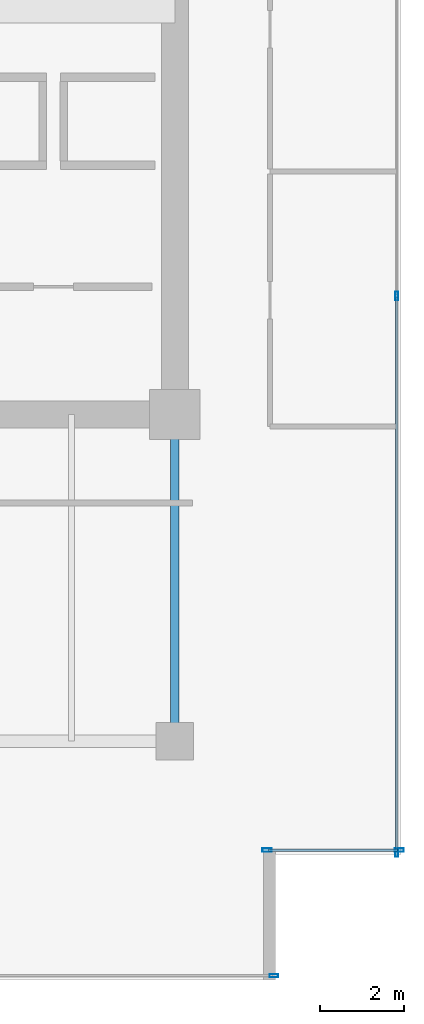
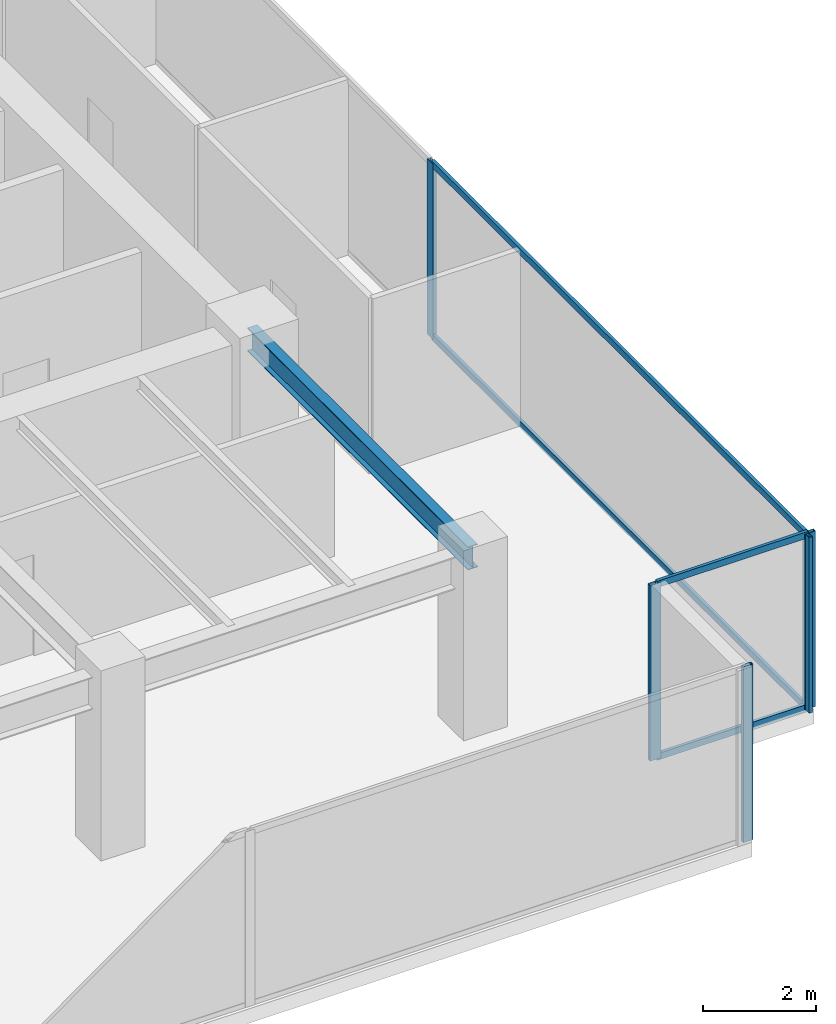
# One storey, part 21 of 30: 9 members, 1 beam, 3 elements without a shape of their own.
"""IFC4 building model written with IfcOpenShell, lengths in metres."""

from ifc_helpers import new_model, si_unit, direction, frame, origin, origin_2d, place, context, subcontext, project, spatial, hollow_rectangle, i_section, extrude, source, transform, mapped, material, layer, layer_set, material_profile, profile_set, type_object, type_shapes, element, aggregate, save


model = new_model("IFC4")

# Units and contexts
model_context = context("Model", 3, precision=1e-05, world=origin(), true_north=direction((0.0, 1.0)))
body_context = subcontext(model_context, "Body", "Model", "MODEL_VIEW")
ifc_project = project(units=[si_unit("LENGTHUNIT", "METRE"), si_unit("AREAUNIT", "SQUARE_METRE"), si_unit("VOLUMEUNIT", "CUBIC_METRE"), si_unit("PLANEANGLEUNIT", "RADIAN"), si_unit("MASSUNIT", "GRAM", prefix="KILO")], contexts=[model_context])

# Site, building, storey
site_placement = place(None, origin())
site = spatial("IfcSite", under=ifc_project, at=site_placement, CompositionType="ELEMENT")
building_placement = place(site_placement, origin())
building = spatial("IfcBuilding", under=site, at=building_placement, Name="Haelvirn Gate Laboratories", CompositionType="ELEMENT")
storey_placement = place(building_placement, frame((0.0, 0.0, 121.5)))
storey = spatial("IfcBuildingStorey", under=building, at=storey_placement, Name="L29", CompositionType="ELEMENT", Elevation=121.5)

# Beam
ifc_material_1 = material(Name="Steel SM355", Category="steel")
ifc_material_profile_1 = material_profile(ifc_material_1, i_section(OverallWidth=0.199951171875, OverallDepth=0.5, WebThickness=0.010009765625, FlangeThickness=0.01611328125, at=origin_2d()), Name="H-500x200x10x16")
ifc_profile_set_1 = profile_set([ifc_material_profile_1], Name="Steel SM355")
beam_type = type_object("IfcBeamType", Name="BM-SP-500", PredefinedType="SPANDREL", material=ifc_profile_set_1)
shared_shape_1 = source(origin(), body_context, "Body", "SweptSolid", [
    extrude(i_section(OverallWidth=0.199951171875, OverallDepth=0.5, WebThickness=0.010009765625, FlangeThickness=0.01611328125, at=origin_2d()), origin(), (0.0, 0.0, 1.0), 7.800048828125),
])
type_shapes(beam_type, [shared_shape_1])
beam_placement = place(storey_placement, frame((67.39990234375, 7.0, 3.5400390625), z_axis=(0.0, 1.0, 0.0), x_axis=(-1.0, 0.0, 0.0)))
element("IfcBeam", 1, at=beam_placement, inside=storey, type_object=beam_type, Name="L29 Perimeter Spandrel X67.4 (7.0-14.8)", PredefinedType="SPANDREL", context=body_context, shape_type="MappedRepresentation", body=[
    mapped(shared_shape_1, transform((0.0, 0.0, 0.0), scale=1.0)),
])

# Curtain wall, members
ifc_material_2 = material(Name="Anodised bronze unitised aluminium & triple low-E glass", Category="aluminium")
ifc_layer_1 = layer(ifc_material_2, 0.181884765625, Name="CW-SYS-5")
ifc_layer_set_1 = layer_set([ifc_layer_1], Name="Anodised bronze unitised aluminium & triple low-E glass")
curtain_wall_type_1 = type_object("IfcCurtainWallType", Name="CW-SYS-5", PredefinedType="NOTDEFINED", material=ifc_layer_set_1)
curtain_wall_1_placement = place(storey_placement, origin())
curtain_wall_1 = element("IfcCurtainWall", 2, at=curtain_wall_1_placement, inside=storey, type_object=curtain_wall_type_1, Name="L29 Unitised Curtain Wall CW-L29-P0-E06-1", PredefinedType="NOTDEFINED")
ifc_material_3 = material(Name="Extruded aluminium 6063-T6 (anodised bronze)", Category="aluminium")
ifc_material_profile_2 = material_profile(ifc_material_3, hollow_rectangle(XDim=0.06494140625, YDim=0.139892578125, WallThickness=0.00390625, at=origin_2d()), Name="CWT-140x65x4")
ifc_profile_set_2 = profile_set([ifc_material_profile_2], Name="Extruded aluminium 6063-T6 (anodised bronze)")
member_type_1 = type_object("IfcMemberType", Name="CWT-T140", PredefinedType="USERDEFINED", material=ifc_profile_set_2)
shared_shape_2 = source(origin(), body_context, "Body", "SweptSolid", [
    extrude(hollow_rectangle(XDim=0.06494140625, YDim=0.139892578125, WallThickness=0.00390625, at=origin_2d()), origin(), (0.0, 0.0, 1.0), 3.080078125),
])
member_1_placement = place(storey_placement, frame((69.639892578125, 4.39990234375, 0.032470703125), z_axis=(1.0, 0.0, 0.0), x_axis=(0.0, 1.0, 0.0)))
member_1 = element("IfcMember", 3, at=member_1_placement, type_object=member_type_1, Name="CW5 transom 1.1", ObjectType="TRANSOM", PredefinedType="USERDEFINED", context=body_context, shape_type="MappedRepresentation", body=[
    mapped(shared_shape_2, transform((0.0, 0.0, 0.0), scale=1.0)),
])
member_2_placement = place(storey_placement, frame((69.639892578125, 4.39990234375, 3.757568359375), z_axis=(1.0, 0.0, 0.0), x_axis=(0.0, 1.0, 0.0)))
member_2 = element("IfcMember", 4, at=member_2_placement, type_object=member_type_1, Name="CW5 transom 1.2", ObjectType="TRANSOM", PredefinedType="USERDEFINED", context=body_context, shape_type="MappedRepresentation", body=[
    mapped(shared_shape_2, transform((0.0, 0.0, 0.0), scale=1.0)),
])

ifc_layer_2 = layer(ifc_material_2, 0.179931640625, Name="CW-SYS-3")
ifc_layer_set_2 = layer_set([ifc_layer_2], Name="Anodised bronze unitised aluminium & triple low-E glass")
curtain_wall_type_2 = type_object("IfcCurtainWallType", Name="CW-SYS-3", PredefinedType="NOTDEFINED", material=ifc_layer_set_2)
curtain_wall_2_placement = place(storey_placement, origin())
curtain_wall_2 = element("IfcCurtainWall", 5, at=curtain_wall_2_placement, inside=storey, type_object=curtain_wall_type_2, Name="L29 Unitised Curtain Wall CW-L29-P0-E07", PredefinedType="NOTDEFINED")
shared_shape_3 = source(origin(), body_context, "Body", "SweptSolid", [
    extrude(hollow_rectangle(XDim=0.06494140625, YDim=0.139892578125, WallThickness=0.00390625, at=origin_2d()), origin(), (0.0, 0.0, 1.0), 13.220947265625),
])
type_shapes(member_type_1, [shared_shape_2, shared_shape_3])
member_3_placement = place(storey_placement, frame((72.699951171875, 4.375, 0.032470703125), z_axis=(0.0, 1.0, 0.0), x_axis=(-1.0, 0.0, 0.0)))
member_3 = element("IfcMember", 6, at=member_3_placement, type_object=member_type_1, Name="CW3 transom 1.1", ObjectType="TRANSOM", PredefinedType="USERDEFINED", context=body_context, shape_type="MappedRepresentation", body=[
    mapped(shared_shape_3, transform((0.0, 0.0, 0.0), scale=1.0)),
])
member_4_placement = place(storey_placement, frame((72.699951171875, 4.375, 3.757568359375), z_axis=(0.0, 1.0, 0.0), x_axis=(-1.0, 0.0, 0.0)))
member_4 = element("IfcMember", 7, at=member_4_placement, type_object=member_type_1, Name="CW3 transom 1.2", ObjectType="TRANSOM", PredefinedType="USERDEFINED", context=body_context, shape_type="MappedRepresentation", body=[
    mapped(shared_shape_3, transform((0.0, 0.0, 0.0), scale=1.0)),
])

# Curtain wall, member
curtain_wall_3_placement = place(storey_placement, origin())
curtain_wall_3 = element("IfcCurtainWall", 8, at=curtain_wall_3_placement, inside=storey, type_object=curtain_wall_type_2, Name="L29 Unitised Curtain Wall CW-L29-P0-E04-1", PredefinedType="NOTDEFINED")
ifc_material_profile_3 = material_profile(ifc_material_3, hollow_rectangle(XDim=0.074951171875, YDim=0.199951171875, WallThickness=0.0048828125, at=origin_2d()), Name="CWM-200x75x5")
ifc_profile_set_3 = profile_set([ifc_material_profile_3], Name="Extruded aluminium 6063-T6 (anodised bronze)")
member_type_2 = type_object("IfcMemberType", Name="CWM-T200", PredefinedType="MULLION", material=ifc_profile_set_3)
shared_shape_4 = source(origin(), body_context, "Body", "SweptSolid", [
    extrude(hollow_rectangle(XDim=0.074951171875, YDim=0.199951171875, WallThickness=0.0048828125, at=origin_2d()), origin(), (0.0, 0.0, 1.0), 3.7900390625),
])
type_shapes(member_type_2, [shared_shape_4])
member_5_placement = place(storey_placement, frame((69.762451171875, 1.39990234375, 0.0), z_axis=(0.0, 0.0, 1.0), x_axis=(0.0, 1.0, 0.0)))
member_5 = element("IfcMember", 9, at=member_5_placement, type_object=member_type_2, Name="CW3 mullion 3", PredefinedType="MULLION", context=body_context, shape_type="MappedRepresentation", body=[
    mapped(shared_shape_4, transform((0.0, 0.0, 0.0), scale=1.0)),
])
aggregate(curtain_wall_3, [member_5])

# Member
member_6_placement = place(storey_placement, frame((72.699951171875, 4.33740234375, 0.0), z_axis=(0.0, 0.0, 1.0), x_axis=(-1.0, 0.0, 0.0)))
member_6 = element("IfcMember", 10, at=member_6_placement, type_object=member_type_2, Name="CW3 mullion 1", PredefinedType="MULLION", context=body_context, shape_type="MappedRepresentation", body=[
    mapped(shared_shape_4, transform((0.0, 0.0, 0.0), scale=1.0)),
])

member_7_placement = place(storey_placement, frame((72.699951171875, 17.63330078125, 0.0), z_axis=(0.0, 0.0, 1.0), x_axis=(-1.0, 0.0, 0.0)))
member_7 = element("IfcMember", 11, at=member_7_placement, type_object=member_type_2, Name="CW3 mullion 2", PredefinedType="MULLION", context=body_context, shape_type="MappedRepresentation", body=[
    mapped(shared_shape_4, transform((0.0, 0.0, 0.0), scale=1.0)),
])

aggregate(curtain_wall_2, [member_6, member_7, member_3, member_4])

ifc_material_profile_4 = material_profile(ifc_material_3, hollow_rectangle(XDim=0.080078125, YDim=0.219970703125, WallThickness=0.006103515625, at=origin_2d()), Name="CWM-220x80x6")
ifc_profile_set_4 = profile_set([ifc_material_profile_4], Name="Extruded aluminium 6063-T6 (anodised bronze)")
member_type_3 = type_object("IfcMemberType", Name="CWM-T220", PredefinedType="MULLION", material=ifc_profile_set_4)
shared_shape_5 = source(origin(), body_context, "Body", "SweptSolid", [
    extrude(hollow_rectangle(XDim=0.080078125, YDim=0.219970703125, WallThickness=0.006103515625, at=origin_2d()), origin(), (0.0, 0.0, 1.0), 3.7900390625),
])
type_shapes(member_type_3, [shared_shape_5])
member_8_placement = place(storey_placement, frame((69.60009765625, 4.39990234375, 0.0), z_axis=(0.0, 0.0, 1.0), x_axis=(0.0, 1.0, 0.0)))
member_8 = element("IfcMember", 12, at=member_8_placement, type_object=member_type_3, Name="CW5 mullion 1", PredefinedType="MULLION", context=body_context, shape_type="MappedRepresentation", body=[
    mapped(shared_shape_5, transform((0.0, 0.0, 0.0), scale=1.0)),
])

member_9_placement = place(storey_placement, frame((72.760009765625, 4.39990234375, 0.0), z_axis=(0.0, 0.0, 1.0), x_axis=(0.0, 1.0, 0.0)))
member_9 = element("IfcMember", 13, at=member_9_placement, type_object=member_type_3, Name="CW5 mullion 2", PredefinedType="MULLION", context=body_context, shape_type="MappedRepresentation", body=[
    mapped(shared_shape_5, transform((0.0, 0.0, 0.0), scale=1.0)),
])

aggregate(curtain_wall_1, [member_8, member_9, member_1, member_2])

save(model, "model.ifc")
